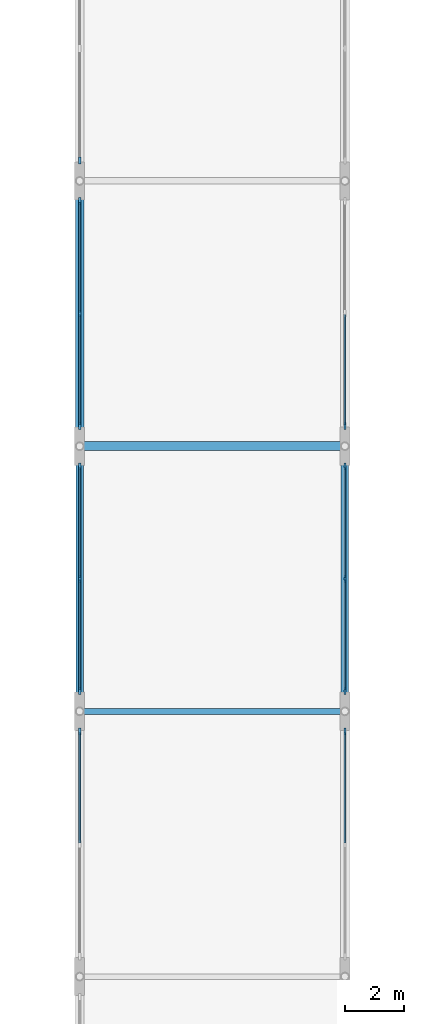
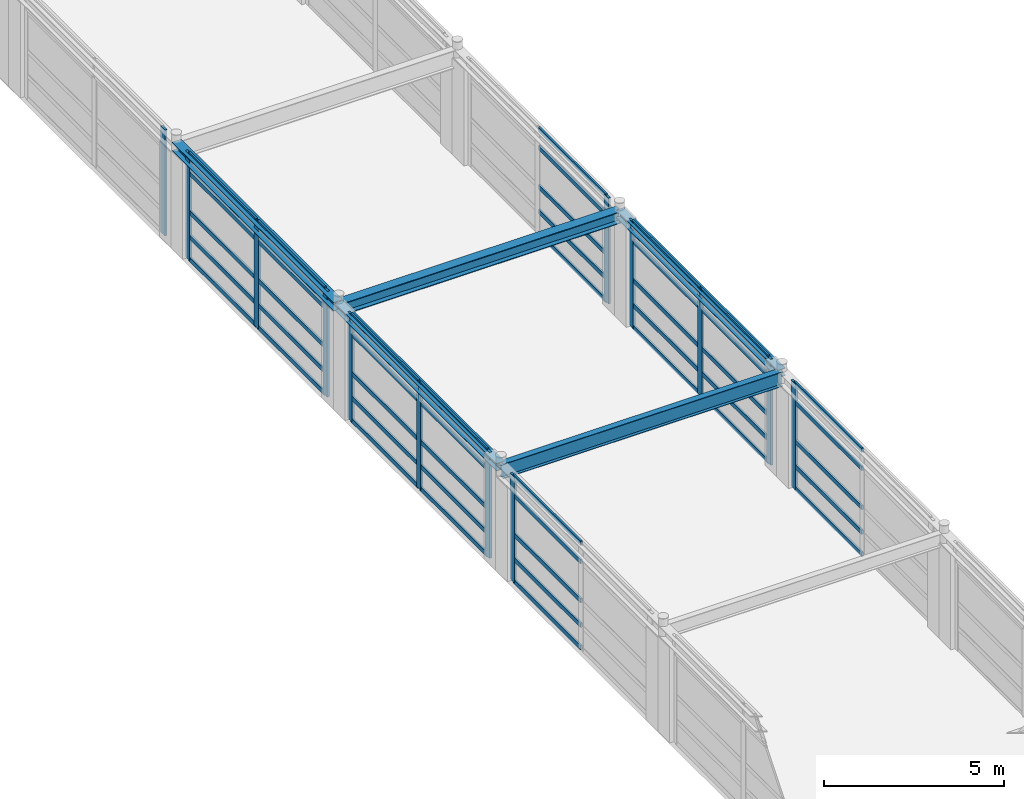
# One storey, part 27 of 79: 58 members, 5 beams, 7 elements without a shape of their own.
"""IFC4 building model written with IfcOpenShell, lengths in metres."""

from ifc_helpers import new_model, si_unit, direction, frame, origin, origin_2d, place, context, subcontext, project, spatial, rectangle, i_section, extrude, material, material_profile, profile_set, type_object, element, aggregate, save


model = new_model("IFC4")

# Units and contexts
model_context = context("Model", 3, precision=1e-05, world=origin(), true_north=direction((0.0, 1.0)))
body_context = subcontext(model_context, "Body", "Model", "MODEL_VIEW")
ifc_project = project(units=[si_unit("LENGTHUNIT", "METRE"), si_unit("AREAUNIT", "SQUARE_METRE"), si_unit("VOLUMEUNIT", "CUBIC_METRE"), si_unit("PLANEANGLEUNIT", "RADIAN"), si_unit("MASSUNIT", "GRAM", prefix="KILO")], contexts=[model_context])

# Site, building, storey
site_placement = place(None, origin())
site = spatial("IfcSite", under=ifc_project, at=site_placement, CompositionType="ELEMENT")
building_placement = place(site_placement, origin())
building = spatial("IfcBuilding", under=site, at=building_placement, Name="Palais des Congres Ocreval", CompositionType="ELEMENT")
storey_placement = place(building_placement, frame((0.0, 0.0, 4.320068359375)))
storey = spatial("IfcBuildingStorey", under=building, at=storey_placement, Name="L01", CompositionType="ELEMENT", Elevation=4.320068359375)

# Beam
ifc_material_1 = material(Name="Steel S355", Category="steel")
ifc_material_profile_1 = material_profile(ifc_material_1, i_section(OverallWidth=0.199951171875, OverallDepth=0.5, WebThickness=0.01025390625, FlangeThickness=0.01611328125, at=origin_2d()), Name="IPE 500")
ifc_profile_set_1 = profile_set([ifc_material_profile_1], Name="Steel S355")
beam_type_1 = type_object("IfcBeamType", Name="Composite Beam IPE 500 Steel S355", PredefinedType="BEAM", material=ifc_profile_set_1)
beam_1_placement = place(storey_placement, frame((72.02001953125, 36.0, 3.329833984375), z_axis=(1.0, 0.0, 0.0), x_axis=(0.0, 1.0, 0.0)))
element("IfcBeam", 1, at=beam_1_placement, inside=storey, type_object=beam_type_1, Name="Beam B04 L01", PredefinedType="BEAM", context=body_context, shape_type="SweptSolid", body=[
    extrude(i_section(OverallWidth=0.199951171875, OverallDepth=0.5, WebThickness=0.01025390625, FlangeThickness=0.01611328125, at=origin_2d()), origin(), (0.0, 0.0, 1.0), 8.9599609375),
])

# Curtain wall, member
ifc_material_2 = material(Name="Anodized bronze aluminium and low-E glass", Category="glass")
curtain_wall_type = type_object("IfcCurtainWallType", Name="Unitised Curtain Wall 7900x3660", PredefinedType="USERDEFINED", material=ifc_material_2)
curtain_wall_1_placement = place(storey_placement, origin())
curtain_wall_1 = element("IfcCurtainWall", 2, at=curtain_wall_1_placement, inside=storey, type_object=curtain_wall_type, Name="Unitised Curtain Wall CW02 L01", ObjectType="UNITISED CURTAIN WALL", PredefinedType="USERDEFINED")
ifc_material_3 = material(Name="Anodized bronze aluminium", Category="aluminium")
ifc_material_profile_2 = material_profile(ifc_material_3, rectangle(XDim=0.074951171875, YDim=0.239990234375, at=origin_2d()), Name="ALU 75x240")
ifc_profile_set_2 = profile_set([ifc_material_profile_2], Name="Anodized bronze aluminium")
member_type_1 = type_object("IfcMemberType", Name="Curtain Wall Mullion ALU 75x240", PredefinedType="MULLION", material=ifc_profile_set_2)
member_1_placement = place(storey_placement, frame((81.0, 45.6875, 0.0), z_axis=(0.0, 0.0, 1.0), x_axis=(1.0, 0.0, 0.0)))
member_1 = element("IfcMember", 3, at=member_1_placement, type_object=member_type_1, Name="Curtain Wall Mullion ML01", PredefinedType="MULLION", context=body_context, shape_type="SweptSolid", body=[
    extrude(rectangle(XDim=0.074951171875, YDim=0.239990234375, at=origin_2d()), origin(), (0.0, 0.0, 1.0), 3.58984375),
])

# Curtain wall, members
curtain_wall_2_placement = place(storey_placement, origin())
curtain_wall_2 = element("IfcCurtainWall", 4, at=curtain_wall_2_placement, inside=storey, type_object=curtain_wall_type, Name="Unitised Curtain Wall CW02 L01", ObjectType="UNITISED CURTAIN WALL", PredefinedType="USERDEFINED")
member_2_placement = place(storey_placement, frame((81.0, 44.3125, 0.0), z_axis=(0.0, 0.0, 1.0), x_axis=(1.0, 0.0, 0.0)))
member_2 = element("IfcMember", 5, at=member_2_placement, type_object=member_type_1, Name="Curtain Wall Mullion ML01", PredefinedType="MULLION", context=body_context, shape_type="SweptSolid", body=[
    extrude(rectangle(XDim=0.074951171875, YDim=0.239990234375, at=origin_2d()), origin(), (0.0, 0.0, 1.0), 3.58984375),
])
member_3_placement = place(storey_placement, frame((81.0, 40.5, 0.0), z_axis=(0.0, 0.0, 1.0), x_axis=(1.0, 0.0, 0.0)))
member_3 = element("IfcMember", 6, at=member_3_placement, type_object=member_type_1, Name="Curtain Wall Mullion ML01", PredefinedType="MULLION", context=body_context, shape_type="SweptSolid", body=[
    extrude(rectangle(XDim=0.074951171875, YDim=0.239990234375, at=origin_2d()), origin(), (0.0, 0.0, 1.0), 3.58984375),
])
member_4_placement = place(storey_placement, frame((81.0, 36.6875, 0.0), z_axis=(0.0, 0.0, 1.0), x_axis=(1.0, 0.0, 0.0)))
member_4 = element("IfcMember", 7, at=member_4_placement, type_object=member_type_1, Name="Curtain Wall Mullion ML01", PredefinedType="MULLION", context=body_context, shape_type="SweptSolid", body=[
    extrude(rectangle(XDim=0.074951171875, YDim=0.239990234375, at=origin_2d()), origin(), (0.0, 0.0, 1.0), 3.58984375),
])

# Curtain wall, member
curtain_wall_3_placement = place(storey_placement, origin())
curtain_wall_3 = element("IfcCurtainWall", 8, at=curtain_wall_3_placement, inside=storey, type_object=curtain_wall_type, Name="Unitised Curtain Wall CW02 L01", ObjectType="UNITISED CURTAIN WALL", PredefinedType="USERDEFINED")
member_5_placement = place(storey_placement, frame((81.0, 35.3125, 0.0), z_axis=(0.0, 0.0, 1.0), x_axis=(1.0, 0.0, 0.0)))
member_5 = element("IfcMember", 9, at=member_5_placement, type_object=member_type_1, Name="Curtain Wall Mullion ML01", PredefinedType="MULLION", context=body_context, shape_type="SweptSolid", body=[
    extrude(rectangle(XDim=0.074951171875, YDim=0.239990234375, at=origin_2d()), origin(), (0.0, 0.0, 1.0), 3.58984375),
])

curtain_wall_4_placement = place(storey_placement, origin())
curtain_wall_4 = element("IfcCurtainWall", 10, at=curtain_wall_4_placement, inside=storey, type_object=curtain_wall_type, Name="Unitised Curtain Wall CW02 L01", ObjectType="UNITISED CURTAIN WALL", PredefinedType="USERDEFINED")
member_6_placement = place(storey_placement, frame((72.0, 35.3125, 0.0), z_axis=(0.0, 0.0, 1.0), x_axis=(-1.0, 0.0, 0.0)))
member_6 = element("IfcMember", 11, at=member_6_placement, type_object=member_type_1, Name="Curtain Wall Mullion ML01", PredefinedType="MULLION", context=body_context, shape_type="SweptSolid", body=[
    extrude(rectangle(XDim=0.074951171875, YDim=0.239990234375, at=origin_2d()), origin(), (0.0, 0.0, 1.0), 3.58984375),
])

# Curtain wall, members
curtain_wall_5_placement = place(storey_placement, origin())
curtain_wall_5 = element("IfcCurtainWall", 12, at=curtain_wall_5_placement, inside=storey, type_object=curtain_wall_type, Name="Unitised Curtain Wall CW02 L01", ObjectType="UNITISED CURTAIN WALL", PredefinedType="USERDEFINED")
member_7_placement = place(storey_placement, frame((72.0, 36.6875, 0.0), z_axis=(0.0, 0.0, 1.0), x_axis=(-1.0, 0.0, 0.0)))
member_7 = element("IfcMember", 13, at=member_7_placement, type_object=member_type_1, Name="Curtain Wall Mullion ML01", PredefinedType="MULLION", context=body_context, shape_type="SweptSolid", body=[
    extrude(rectangle(XDim=0.074951171875, YDim=0.239990234375, at=origin_2d()), origin(), (0.0, 0.0, 1.0), 3.58984375),
])
member_8_placement = place(storey_placement, frame((72.0, 40.5, 0.0), z_axis=(0.0, 0.0, 1.0), x_axis=(-1.0, 0.0, 0.0)))
member_8 = element("IfcMember", 14, at=member_8_placement, type_object=member_type_1, Name="Curtain Wall Mullion ML01", PredefinedType="MULLION", context=body_context, shape_type="SweptSolid", body=[
    extrude(rectangle(XDim=0.074951171875, YDim=0.239990234375, at=origin_2d()), origin(), (0.0, 0.0, 1.0), 3.58984375),
])
member_9_placement = place(storey_placement, frame((72.0, 44.3125, 0.0), z_axis=(0.0, 0.0, 1.0), x_axis=(-1.0, 0.0, 0.0)))
member_9 = element("IfcMember", 15, at=member_9_placement, type_object=member_type_1, Name="Curtain Wall Mullion ML01", PredefinedType="MULLION", context=body_context, shape_type="SweptSolid", body=[
    extrude(rectangle(XDim=0.074951171875, YDim=0.239990234375, at=origin_2d()), origin(), (0.0, 0.0, 1.0), 3.58984375),
])

curtain_wall_6_placement = place(storey_placement, origin())
curtain_wall_6 = element("IfcCurtainWall", 16, at=curtain_wall_6_placement, inside=storey, type_object=curtain_wall_type, Name="Unitised Curtain Wall CW02 L01", ObjectType="UNITISED CURTAIN WALL", PredefinedType="USERDEFINED")
member_10_placement = place(storey_placement, frame((72.0, 45.6875, 0.0), z_axis=(0.0, 0.0, 1.0), x_axis=(-1.0, 0.0, 0.0)))
member_10 = element("IfcMember", 17, at=member_10_placement, type_object=member_type_1, Name="Curtain Wall Mullion ML01", PredefinedType="MULLION", context=body_context, shape_type="SweptSolid", body=[
    extrude(rectangle(XDim=0.074951171875, YDim=0.239990234375, at=origin_2d()), origin(), (0.0, 0.0, 1.0), 3.58984375),
])
member_11_placement = place(storey_placement, frame((72.0, 49.5, 0.0), z_axis=(0.0, 0.0, 1.0), x_axis=(-1.0, 0.0, 0.0)))
member_11 = element("IfcMember", 18, at=member_11_placement, type_object=member_type_1, Name="Curtain Wall Mullion ML01", PredefinedType="MULLION", context=body_context, shape_type="SweptSolid", body=[
    extrude(rectangle(XDim=0.074951171875, YDim=0.239990234375, at=origin_2d()), origin(), (0.0, 0.0, 1.0), 3.58984375),
])
member_12_placement = place(storey_placement, frame((72.0, 53.3125, 0.0), z_axis=(0.0, 0.0, 1.0), x_axis=(-1.0, 0.0, 0.0)))
member_12 = element("IfcMember", 19, at=member_12_placement, type_object=member_type_1, Name="Curtain Wall Mullion ML01", PredefinedType="MULLION", context=body_context, shape_type="SweptSolid", body=[
    extrude(rectangle(XDim=0.074951171875, YDim=0.239990234375, at=origin_2d()), origin(), (0.0, 0.0, 1.0), 3.58984375),
])

# Curtain wall, member
curtain_wall_7_placement = place(storey_placement, origin())
curtain_wall_7 = element("IfcCurtainWall", 20, at=curtain_wall_7_placement, inside=storey, type_object=curtain_wall_type, Name="Unitised Curtain Wall CW02 L01", ObjectType="UNITISED CURTAIN WALL", PredefinedType="USERDEFINED")
member_13_placement = place(storey_placement, frame((72.0, 54.6875, 0.0), z_axis=(0.0, 0.0, 1.0), x_axis=(-1.0, 0.0, 0.0)))
member_13 = element("IfcMember", 21, at=member_13_placement, type_object=member_type_1, Name="Curtain Wall Mullion ML01", PredefinedType="MULLION", context=body_context, shape_type="SweptSolid", body=[
    extrude(rectangle(XDim=0.074951171875, YDim=0.239990234375, at=origin_2d()), origin(), (0.0, 0.0, 1.0), 3.58984375),
])
aggregate(curtain_wall_7, [member_13])

# Member
ifc_material_profile_3 = material_profile(ifc_material_3, rectangle(XDim=0.06005859375, YDim=0.14990234375, at=origin_2d()), Name="ALU 60x150")
ifc_profile_set_3 = profile_set([ifc_material_profile_3], Name="Anodized bronze aluminium")
member_type_2 = type_object("IfcMemberType", Name="Curtain Wall Transom ALU 60x150", PredefinedType="USERDEFINED", material=ifc_profile_set_3)
member_14_placement = place(storey_placement, frame((81.0, 49.46240234375, 0.030029296875), z_axis=(0.0, -1.0, 0.0), x_axis=(1.0, 0.0, 0.0)))
member_14 = element("IfcMember", 22, at=member_14_placement, type_object=member_type_2, Name="Curtain Wall Transom TR01", ObjectType="TRANSOM", PredefinedType="USERDEFINED", context=body_context, shape_type="SweptSolid", body=[
    extrude(rectangle(XDim=0.06005859375, YDim=0.14990234375, at=origin_2d()), origin(), (0.0, 0.0, 1.0), 3.7373046875),
])

member_15_placement = place(storey_placement, frame((81.0, 49.46240234375, 0.780029296875), z_axis=(0.0, -1.0, 0.0), x_axis=(1.0, 0.0, 0.0)))
member_15 = element("IfcMember", 23, at=member_15_placement, type_object=member_type_2, Name="Curtain Wall Transom TR01", ObjectType="TRANSOM", PredefinedType="USERDEFINED", context=body_context, shape_type="SweptSolid", body=[
    extrude(rectangle(XDim=0.06005859375, YDim=0.14990234375, at=origin_2d()), origin(), (0.0, 0.0, 1.0), 3.7373046875),
])

member_16_placement = place(storey_placement, frame((81.0, 49.46240234375, 1.616943359375), z_axis=(0.0, -1.0, 0.0), x_axis=(1.0, 0.0, 0.0)))
member_16 = element("IfcMember", 24, at=member_16_placement, type_object=member_type_2, Name="Curtain Wall Transom TR01", ObjectType="TRANSOM", PredefinedType="USERDEFINED", context=body_context, shape_type="SweptSolid", body=[
    extrude(rectangle(XDim=0.06005859375, YDim=0.14990234375, at=origin_2d()), origin(), (0.0, 0.0, 1.0), 3.7373046875),
])

member_17_placement = place(storey_placement, frame((81.0, 49.46240234375, 2.93994140625), z_axis=(0.0, -1.0, 0.0), x_axis=(1.0, 0.0, 0.0)))
member_17 = element("IfcMember", 25, at=member_17_placement, type_object=member_type_2, Name="Curtain Wall Transom TR01", ObjectType="TRANSOM", PredefinedType="USERDEFINED", context=body_context, shape_type="SweptSolid", body=[
    extrude(rectangle(XDim=0.06005859375, YDim=0.14990234375, at=origin_2d()), origin(), (0.0, 0.0, 1.0), 3.7373046875),
])

member_18_placement = place(storey_placement, frame((81.0, 49.46240234375, 3.559814453125), z_axis=(0.0, -1.0, 0.0), x_axis=(1.0, 0.0, 0.0)))
member_18 = element("IfcMember", 26, at=member_18_placement, type_object=member_type_2, Name="Curtain Wall Transom TR01", ObjectType="TRANSOM", PredefinedType="USERDEFINED", context=body_context, shape_type="SweptSolid", body=[
    extrude(rectangle(XDim=0.06005859375, YDim=0.14990234375, at=origin_2d()), origin(), (0.0, 0.0, 1.0), 3.7373046875),
])

aggregate(curtain_wall_1, [member_1, member_14, member_15, member_16, member_17, member_18])

member_19_placement = place(storey_placement, frame((81.0, 44.27490234375, 0.030029296875), z_axis=(0.0, -1.0, 0.0), x_axis=(1.0, 0.0, 0.0)))
member_19 = element("IfcMember", 27, at=member_19_placement, type_object=member_type_2, Name="Curtain Wall Transom TR01", ObjectType="TRANSOM", PredefinedType="USERDEFINED", context=body_context, shape_type="SweptSolid", body=[
    extrude(rectangle(XDim=0.06005859375, YDim=0.14990234375, at=origin_2d()), origin(), (0.0, 0.0, 1.0), 3.7373046875),
])

member_20_placement = place(storey_placement, frame((81.0, 44.27490234375, 0.780029296875), z_axis=(0.0, -1.0, 0.0), x_axis=(1.0, 0.0, 0.0)))
member_20 = element("IfcMember", 28, at=member_20_placement, type_object=member_type_2, Name="Curtain Wall Transom TR01", ObjectType="TRANSOM", PredefinedType="USERDEFINED", context=body_context, shape_type="SweptSolid", body=[
    extrude(rectangle(XDim=0.06005859375, YDim=0.14990234375, at=origin_2d()), origin(), (0.0, 0.0, 1.0), 3.7373046875),
])

member_21_placement = place(storey_placement, frame((81.0, 44.27490234375, 1.616943359375), z_axis=(0.0, -1.0, 0.0), x_axis=(1.0, 0.0, 0.0)))
member_21 = element("IfcMember", 29, at=member_21_placement, type_object=member_type_2, Name="Curtain Wall Transom TR01", ObjectType="TRANSOM", PredefinedType="USERDEFINED", context=body_context, shape_type="SweptSolid", body=[
    extrude(rectangle(XDim=0.06005859375, YDim=0.14990234375, at=origin_2d()), origin(), (0.0, 0.0, 1.0), 3.7373046875),
])

member_22_placement = place(storey_placement, frame((81.0, 44.27490234375, 2.93994140625), z_axis=(0.0, -1.0, 0.0), x_axis=(1.0, 0.0, 0.0)))
member_22 = element("IfcMember", 30, at=member_22_placement, type_object=member_type_2, Name="Curtain Wall Transom TR01", ObjectType="TRANSOM", PredefinedType="USERDEFINED", context=body_context, shape_type="SweptSolid", body=[
    extrude(rectangle(XDim=0.06005859375, YDim=0.14990234375, at=origin_2d()), origin(), (0.0, 0.0, 1.0), 3.7373046875),
])

member_23_placement = place(storey_placement, frame((81.0, 44.27490234375, 3.559814453125), z_axis=(0.0, -1.0, 0.0), x_axis=(1.0, 0.0, 0.0)))
member_23 = element("IfcMember", 31, at=member_23_placement, type_object=member_type_2, Name="Curtain Wall Transom TR01", ObjectType="TRANSOM", PredefinedType="USERDEFINED", context=body_context, shape_type="SweptSolid", body=[
    extrude(rectangle(XDim=0.06005859375, YDim=0.14990234375, at=origin_2d()), origin(), (0.0, 0.0, 1.0), 3.7373046875),
])

member_24_placement = place(storey_placement, frame((81.0, 40.46240234375, 0.030029296875), z_axis=(0.0, -1.0, 0.0), x_axis=(1.0, 0.0, 0.0)))
member_24 = element("IfcMember", 32, at=member_24_placement, type_object=member_type_2, Name="Curtain Wall Transom TR01", ObjectType="TRANSOM", PredefinedType="USERDEFINED", context=body_context, shape_type="SweptSolid", body=[
    extrude(rectangle(XDim=0.06005859375, YDim=0.14990234375, at=origin_2d()), origin(), (0.0, 0.0, 1.0), 3.7373046875),
])

member_25_placement = place(storey_placement, frame((81.0, 40.46240234375, 0.780029296875), z_axis=(0.0, -1.0, 0.0), x_axis=(1.0, 0.0, 0.0)))
member_25 = element("IfcMember", 33, at=member_25_placement, type_object=member_type_2, Name="Curtain Wall Transom TR01", ObjectType="TRANSOM", PredefinedType="USERDEFINED", context=body_context, shape_type="SweptSolid", body=[
    extrude(rectangle(XDim=0.06005859375, YDim=0.14990234375, at=origin_2d()), origin(), (0.0, 0.0, 1.0), 3.7373046875),
])

member_26_placement = place(storey_placement, frame((81.0, 40.46240234375, 1.616943359375), z_axis=(0.0, -1.0, 0.0), x_axis=(1.0, 0.0, 0.0)))
member_26 = element("IfcMember", 34, at=member_26_placement, type_object=member_type_2, Name="Curtain Wall Transom TR01", ObjectType="TRANSOM", PredefinedType="USERDEFINED", context=body_context, shape_type="SweptSolid", body=[
    extrude(rectangle(XDim=0.06005859375, YDim=0.14990234375, at=origin_2d()), origin(), (0.0, 0.0, 1.0), 3.7373046875),
])

member_27_placement = place(storey_placement, frame((81.0, 40.46240234375, 2.93994140625), z_axis=(0.0, -1.0, 0.0), x_axis=(1.0, 0.0, 0.0)))
member_27 = element("IfcMember", 35, at=member_27_placement, type_object=member_type_2, Name="Curtain Wall Transom TR01", ObjectType="TRANSOM", PredefinedType="USERDEFINED", context=body_context, shape_type="SweptSolid", body=[
    extrude(rectangle(XDim=0.06005859375, YDim=0.14990234375, at=origin_2d()), origin(), (0.0, 0.0, 1.0), 3.7373046875),
])

member_28_placement = place(storey_placement, frame((81.0, 40.46240234375, 3.559814453125), z_axis=(0.0, -1.0, 0.0), x_axis=(1.0, 0.0, 0.0)))
member_28 = element("IfcMember", 36, at=member_28_placement, type_object=member_type_2, Name="Curtain Wall Transom TR01", ObjectType="TRANSOM", PredefinedType="USERDEFINED", context=body_context, shape_type="SweptSolid", body=[
    extrude(rectangle(XDim=0.06005859375, YDim=0.14990234375, at=origin_2d()), origin(), (0.0, 0.0, 1.0), 3.7373046875),
])

aggregate(curtain_wall_2, [member_2, member_3, member_4, member_19, member_20, member_21, member_22, member_23, member_24, member_25, member_26, member_27, member_28])

member_29_placement = place(storey_placement, frame((81.0, 35.27490234375, 0.030029296875), z_axis=(0.0, -1.0, 0.0), x_axis=(1.0, 0.0, 0.0)))
member_29 = element("IfcMember", 37, at=member_29_placement, type_object=member_type_2, Name="Curtain Wall Transom TR01", ObjectType="TRANSOM", PredefinedType="USERDEFINED", context=body_context, shape_type="SweptSolid", body=[
    extrude(rectangle(XDim=0.06005859375, YDim=0.14990234375, at=origin_2d()), origin(), (0.0, 0.0, 1.0), 3.7373046875),
])

member_30_placement = place(storey_placement, frame((81.0, 35.27490234375, 0.780029296875), z_axis=(0.0, -1.0, 0.0), x_axis=(1.0, 0.0, 0.0)))
member_30 = element("IfcMember", 38, at=member_30_placement, type_object=member_type_2, Name="Curtain Wall Transom TR01", ObjectType="TRANSOM", PredefinedType="USERDEFINED", context=body_context, shape_type="SweptSolid", body=[
    extrude(rectangle(XDim=0.06005859375, YDim=0.14990234375, at=origin_2d()), origin(), (0.0, 0.0, 1.0), 3.7373046875),
])

member_31_placement = place(storey_placement, frame((81.0, 35.27490234375, 1.616943359375), z_axis=(0.0, -1.0, 0.0), x_axis=(1.0, 0.0, 0.0)))
member_31 = element("IfcMember", 39, at=member_31_placement, type_object=member_type_2, Name="Curtain Wall Transom TR01", ObjectType="TRANSOM", PredefinedType="USERDEFINED", context=body_context, shape_type="SweptSolid", body=[
    extrude(rectangle(XDim=0.06005859375, YDim=0.14990234375, at=origin_2d()), origin(), (0.0, 0.0, 1.0), 3.7373046875),
])

member_32_placement = place(storey_placement, frame((81.0, 35.27490234375, 2.93994140625), z_axis=(0.0, -1.0, 0.0), x_axis=(1.0, 0.0, 0.0)))
member_32 = element("IfcMember", 40, at=member_32_placement, type_object=member_type_2, Name="Curtain Wall Transom TR01", ObjectType="TRANSOM", PredefinedType="USERDEFINED", context=body_context, shape_type="SweptSolid", body=[
    extrude(rectangle(XDim=0.06005859375, YDim=0.14990234375, at=origin_2d()), origin(), (0.0, 0.0, 1.0), 3.7373046875),
])

member_33_placement = place(storey_placement, frame((81.0, 35.27490234375, 3.559814453125), z_axis=(0.0, -1.0, 0.0), x_axis=(1.0, 0.0, 0.0)))
member_33 = element("IfcMember", 41, at=member_33_placement, type_object=member_type_2, Name="Curtain Wall Transom TR01", ObjectType="TRANSOM", PredefinedType="USERDEFINED", context=body_context, shape_type="SweptSolid", body=[
    extrude(rectangle(XDim=0.06005859375, YDim=0.14990234375, at=origin_2d()), origin(), (0.0, 0.0, 1.0), 3.7373046875),
])

aggregate(curtain_wall_3, [member_5, member_29, member_30, member_31, member_32, member_33])

member_34_placement = place(storey_placement, frame((72.0, 31.53759765625, 0.030029296875), z_axis=(0.0, 1.0, 0.0), x_axis=(-1.0, 0.0, 0.0)))
member_34 = element("IfcMember", 42, at=member_34_placement, type_object=member_type_2, Name="Curtain Wall Transom TR01", ObjectType="TRANSOM", PredefinedType="USERDEFINED", context=body_context, shape_type="SweptSolid", body=[
    extrude(rectangle(XDim=0.06005859375, YDim=0.14990234375, at=origin_2d()), origin(), (0.0, 0.0, 1.0), 3.7373046875),
])

member_35_placement = place(storey_placement, frame((72.0, 31.53759765625, 0.780029296875), z_axis=(0.0, 1.0, 0.0), x_axis=(-1.0, 0.0, 0.0)))
member_35 = element("IfcMember", 43, at=member_35_placement, type_object=member_type_2, Name="Curtain Wall Transom TR01", ObjectType="TRANSOM", PredefinedType="USERDEFINED", context=body_context, shape_type="SweptSolid", body=[
    extrude(rectangle(XDim=0.06005859375, YDim=0.14990234375, at=origin_2d()), origin(), (0.0, 0.0, 1.0), 3.7373046875),
])

member_36_placement = place(storey_placement, frame((72.0, 31.53759765625, 1.616943359375), z_axis=(0.0, 1.0, 0.0), x_axis=(-1.0, 0.0, 0.0)))
member_36 = element("IfcMember", 44, at=member_36_placement, type_object=member_type_2, Name="Curtain Wall Transom TR01", ObjectType="TRANSOM", PredefinedType="USERDEFINED", context=body_context, shape_type="SweptSolid", body=[
    extrude(rectangle(XDim=0.06005859375, YDim=0.14990234375, at=origin_2d()), origin(), (0.0, 0.0, 1.0), 3.7373046875),
])

member_37_placement = place(storey_placement, frame((72.0, 31.53759765625, 2.93994140625), z_axis=(0.0, 1.0, 0.0), x_axis=(-1.0, 0.0, 0.0)))
member_37 = element("IfcMember", 45, at=member_37_placement, type_object=member_type_2, Name="Curtain Wall Transom TR01", ObjectType="TRANSOM", PredefinedType="USERDEFINED", context=body_context, shape_type="SweptSolid", body=[
    extrude(rectangle(XDim=0.06005859375, YDim=0.14990234375, at=origin_2d()), origin(), (0.0, 0.0, 1.0), 3.7373046875),
])

member_38_placement = place(storey_placement, frame((72.0, 31.53759765625, 3.559814453125), z_axis=(0.0, 1.0, 0.0), x_axis=(-1.0, 0.0, 0.0)))
member_38 = element("IfcMember", 46, at=member_38_placement, type_object=member_type_2, Name="Curtain Wall Transom TR01", ObjectType="TRANSOM", PredefinedType="USERDEFINED", context=body_context, shape_type="SweptSolid", body=[
    extrude(rectangle(XDim=0.06005859375, YDim=0.14990234375, at=origin_2d()), origin(), (0.0, 0.0, 1.0), 3.7373046875),
])

aggregate(curtain_wall_4, [member_6, member_34, member_35, member_36, member_37, member_38])

member_39_placement = place(storey_placement, frame((72.0, 36.72509765625, 0.030029296875), z_axis=(0.0, 1.0, 0.0), x_axis=(-1.0, 0.0, 0.0)))
member_39 = element("IfcMember", 47, at=member_39_placement, type_object=member_type_2, Name="Curtain Wall Transom TR01", ObjectType="TRANSOM", PredefinedType="USERDEFINED", context=body_context, shape_type="SweptSolid", body=[
    extrude(rectangle(XDim=0.06005859375, YDim=0.14990234375, at=origin_2d()), origin(), (0.0, 0.0, 1.0), 3.7373046875),
])

member_40_placement = place(storey_placement, frame((72.0, 36.72509765625, 0.780029296875), z_axis=(0.0, 1.0, 0.0), x_axis=(-1.0, 0.0, 0.0)))
member_40 = element("IfcMember", 48, at=member_40_placement, type_object=member_type_2, Name="Curtain Wall Transom TR01", ObjectType="TRANSOM", PredefinedType="USERDEFINED", context=body_context, shape_type="SweptSolid", body=[
    extrude(rectangle(XDim=0.06005859375, YDim=0.14990234375, at=origin_2d()), origin(), (0.0, 0.0, 1.0), 3.7373046875),
])

member_41_placement = place(storey_placement, frame((72.0, 36.72509765625, 1.616943359375), z_axis=(0.0, 1.0, 0.0), x_axis=(-1.0, 0.0, 0.0)))
member_41 = element("IfcMember", 49, at=member_41_placement, type_object=member_type_2, Name="Curtain Wall Transom TR01", ObjectType="TRANSOM", PredefinedType="USERDEFINED", context=body_context, shape_type="SweptSolid", body=[
    extrude(rectangle(XDim=0.06005859375, YDim=0.14990234375, at=origin_2d()), origin(), (0.0, 0.0, 1.0), 3.7373046875),
])

member_42_placement = place(storey_placement, frame((72.0, 36.72509765625, 2.93994140625), z_axis=(0.0, 1.0, 0.0), x_axis=(-1.0, 0.0, 0.0)))
member_42 = element("IfcMember", 50, at=member_42_placement, type_object=member_type_2, Name="Curtain Wall Transom TR01", ObjectType="TRANSOM", PredefinedType="USERDEFINED", context=body_context, shape_type="SweptSolid", body=[
    extrude(rectangle(XDim=0.06005859375, YDim=0.14990234375, at=origin_2d()), origin(), (0.0, 0.0, 1.0), 3.7373046875),
])

member_43_placement = place(storey_placement, frame((72.0, 36.72509765625, 3.559814453125), z_axis=(0.0, 1.0, 0.0), x_axis=(-1.0, 0.0, 0.0)))
member_43 = element("IfcMember", 51, at=member_43_placement, type_object=member_type_2, Name="Curtain Wall Transom TR01", ObjectType="TRANSOM", PredefinedType="USERDEFINED", context=body_context, shape_type="SweptSolid", body=[
    extrude(rectangle(XDim=0.06005859375, YDim=0.14990234375, at=origin_2d()), origin(), (0.0, 0.0, 1.0), 3.7373046875),
])

member_44_placement = place(storey_placement, frame((72.0, 40.53759765625, 0.030029296875), z_axis=(0.0, 1.0, 0.0), x_axis=(-1.0, 0.0, 0.0)))
member_44 = element("IfcMember", 52, at=member_44_placement, type_object=member_type_2, Name="Curtain Wall Transom TR01", ObjectType="TRANSOM", PredefinedType="USERDEFINED", context=body_context, shape_type="SweptSolid", body=[
    extrude(rectangle(XDim=0.06005859375, YDim=0.14990234375, at=origin_2d()), origin(), (0.0, 0.0, 1.0), 3.7373046875),
])

member_45_placement = place(storey_placement, frame((72.0, 40.53759765625, 0.780029296875), z_axis=(0.0, 1.0, 0.0), x_axis=(-1.0, 0.0, 0.0)))
member_45 = element("IfcMember", 53, at=member_45_placement, type_object=member_type_2, Name="Curtain Wall Transom TR01", ObjectType="TRANSOM", PredefinedType="USERDEFINED", context=body_context, shape_type="SweptSolid", body=[
    extrude(rectangle(XDim=0.06005859375, YDim=0.14990234375, at=origin_2d()), origin(), (0.0, 0.0, 1.0), 3.7373046875),
])

member_46_placement = place(storey_placement, frame((72.0, 40.53759765625, 1.616943359375), z_axis=(0.0, 1.0, 0.0), x_axis=(-1.0, 0.0, 0.0)))
member_46 = element("IfcMember", 54, at=member_46_placement, type_object=member_type_2, Name="Curtain Wall Transom TR01", ObjectType="TRANSOM", PredefinedType="USERDEFINED", context=body_context, shape_type="SweptSolid", body=[
    extrude(rectangle(XDim=0.06005859375, YDim=0.14990234375, at=origin_2d()), origin(), (0.0, 0.0, 1.0), 3.7373046875),
])

member_47_placement = place(storey_placement, frame((72.0, 40.53759765625, 2.93994140625), z_axis=(0.0, 1.0, 0.0), x_axis=(-1.0, 0.0, 0.0)))
member_47 = element("IfcMember", 55, at=member_47_placement, type_object=member_type_2, Name="Curtain Wall Transom TR01", ObjectType="TRANSOM", PredefinedType="USERDEFINED", context=body_context, shape_type="SweptSolid", body=[
    extrude(rectangle(XDim=0.06005859375, YDim=0.14990234375, at=origin_2d()), origin(), (0.0, 0.0, 1.0), 3.7373046875),
])

member_48_placement = place(storey_placement, frame((72.0, 40.53759765625, 3.559814453125), z_axis=(0.0, 1.0, 0.0), x_axis=(-1.0, 0.0, 0.0)))
member_48 = element("IfcMember", 56, at=member_48_placement, type_object=member_type_2, Name="Curtain Wall Transom TR01", ObjectType="TRANSOM", PredefinedType="USERDEFINED", context=body_context, shape_type="SweptSolid", body=[
    extrude(rectangle(XDim=0.06005859375, YDim=0.14990234375, at=origin_2d()), origin(), (0.0, 0.0, 1.0), 3.7373046875),
])

aggregate(curtain_wall_5, [member_7, member_8, member_9, member_39, member_40, member_41, member_42, member_43, member_44, member_45, member_46, member_47, member_48])

member_49_placement = place(storey_placement, frame((72.0, 45.72509765625, 0.030029296875), z_axis=(0.0, 1.0, 0.0), x_axis=(-1.0, 0.0, 0.0)))
member_49 = element("IfcMember", 57, at=member_49_placement, type_object=member_type_2, Name="Curtain Wall Transom TR01", ObjectType="TRANSOM", PredefinedType="USERDEFINED", context=body_context, shape_type="SweptSolid", body=[
    extrude(rectangle(XDim=0.06005859375, YDim=0.14990234375, at=origin_2d()), origin(), (0.0, 0.0, 1.0), 3.7373046875),
])

member_50_placement = place(storey_placement, frame((72.0, 45.72509765625, 0.780029296875), z_axis=(0.0, 1.0, 0.0), x_axis=(-1.0, 0.0, 0.0)))
member_50 = element("IfcMember", 58, at=member_50_placement, type_object=member_type_2, Name="Curtain Wall Transom TR01", ObjectType="TRANSOM", PredefinedType="USERDEFINED", context=body_context, shape_type="SweptSolid", body=[
    extrude(rectangle(XDim=0.06005859375, YDim=0.14990234375, at=origin_2d()), origin(), (0.0, 0.0, 1.0), 3.7373046875),
])

member_51_placement = place(storey_placement, frame((72.0, 45.72509765625, 1.616943359375), z_axis=(0.0, 1.0, 0.0), x_axis=(-1.0, 0.0, 0.0)))
member_51 = element("IfcMember", 59, at=member_51_placement, type_object=member_type_2, Name="Curtain Wall Transom TR01", ObjectType="TRANSOM", PredefinedType="USERDEFINED", context=body_context, shape_type="SweptSolid", body=[
    extrude(rectangle(XDim=0.06005859375, YDim=0.14990234375, at=origin_2d()), origin(), (0.0, 0.0, 1.0), 3.7373046875),
])

member_52_placement = place(storey_placement, frame((72.0, 45.72509765625, 2.93994140625), z_axis=(0.0, 1.0, 0.0), x_axis=(-1.0, 0.0, 0.0)))
member_52 = element("IfcMember", 60, at=member_52_placement, type_object=member_type_2, Name="Curtain Wall Transom TR01", ObjectType="TRANSOM", PredefinedType="USERDEFINED", context=body_context, shape_type="SweptSolid", body=[
    extrude(rectangle(XDim=0.06005859375, YDim=0.14990234375, at=origin_2d()), origin(), (0.0, 0.0, 1.0), 3.7373046875),
])

member_53_placement = place(storey_placement, frame((72.0, 45.72509765625, 3.559814453125), z_axis=(0.0, 1.0, 0.0), x_axis=(-1.0, 0.0, 0.0)))
member_53 = element("IfcMember", 61, at=member_53_placement, type_object=member_type_2, Name="Curtain Wall Transom TR01", ObjectType="TRANSOM", PredefinedType="USERDEFINED", context=body_context, shape_type="SweptSolid", body=[
    extrude(rectangle(XDim=0.06005859375, YDim=0.14990234375, at=origin_2d()), origin(), (0.0, 0.0, 1.0), 3.7373046875),
])

member_54_placement = place(storey_placement, frame((72.0, 49.53759765625, 0.030029296875), z_axis=(0.0, 1.0, 0.0), x_axis=(-1.0, 0.0, 0.0)))
member_54 = element("IfcMember", 62, at=member_54_placement, type_object=member_type_2, Name="Curtain Wall Transom TR01", ObjectType="TRANSOM", PredefinedType="USERDEFINED", context=body_context, shape_type="SweptSolid", body=[
    extrude(rectangle(XDim=0.06005859375, YDim=0.14990234375, at=origin_2d()), origin(), (0.0, 0.0, 1.0), 3.7373046875),
])

member_55_placement = place(storey_placement, frame((72.0, 49.53759765625, 0.780029296875), z_axis=(0.0, 1.0, 0.0), x_axis=(-1.0, 0.0, 0.0)))
member_55 = element("IfcMember", 63, at=member_55_placement, type_object=member_type_2, Name="Curtain Wall Transom TR01", ObjectType="TRANSOM", PredefinedType="USERDEFINED", context=body_context, shape_type="SweptSolid", body=[
    extrude(rectangle(XDim=0.06005859375, YDim=0.14990234375, at=origin_2d()), origin(), (0.0, 0.0, 1.0), 3.7373046875),
])

member_56_placement = place(storey_placement, frame((72.0, 49.53759765625, 1.616943359375), z_axis=(0.0, 1.0, 0.0), x_axis=(-1.0, 0.0, 0.0)))
member_56 = element("IfcMember", 64, at=member_56_placement, type_object=member_type_2, Name="Curtain Wall Transom TR01", ObjectType="TRANSOM", PredefinedType="USERDEFINED", context=body_context, shape_type="SweptSolid", body=[
    extrude(rectangle(XDim=0.06005859375, YDim=0.14990234375, at=origin_2d()), origin(), (0.0, 0.0, 1.0), 3.7373046875),
])

member_57_placement = place(storey_placement, frame((72.0, 49.53759765625, 2.93994140625), z_axis=(0.0, 1.0, 0.0), x_axis=(-1.0, 0.0, 0.0)))
member_57 = element("IfcMember", 65, at=member_57_placement, type_object=member_type_2, Name="Curtain Wall Transom TR01", ObjectType="TRANSOM", PredefinedType="USERDEFINED", context=body_context, shape_type="SweptSolid", body=[
    extrude(rectangle(XDim=0.06005859375, YDim=0.14990234375, at=origin_2d()), origin(), (0.0, 0.0, 1.0), 3.7373046875),
])

member_58_placement = place(storey_placement, frame((72.0, 49.53759765625, 3.559814453125), z_axis=(0.0, 1.0, 0.0), x_axis=(-1.0, 0.0, 0.0)))
member_58 = element("IfcMember", 66, at=member_58_placement, type_object=member_type_2, Name="Curtain Wall Transom TR01", ObjectType="TRANSOM", PredefinedType="USERDEFINED", context=body_context, shape_type="SweptSolid", body=[
    extrude(rectangle(XDim=0.06005859375, YDim=0.14990234375, at=origin_2d()), origin(), (0.0, 0.0, 1.0), 3.7373046875),
])

aggregate(curtain_wall_6, [member_10, member_11, member_12, member_49, member_50, member_51, member_52, member_53, member_54, member_55, member_56, member_57, member_58])

# Beams
ifc_material_profile_4 = material_profile(ifc_material_1, i_section(OverallWidth=0.260009765625, OverallDepth=0.260009765625, WebThickness=0.010009765625, FlangeThickness=0.017578125, at=origin_2d()), Name="HEB 260")
ifc_profile_set_4 = profile_set([ifc_material_profile_4], Name="Steel S355")
beam_type_2 = type_object("IfcBeamType", Name="Opening Lintel HEB 260 Steel S355", PredefinedType="LINTEL", material=ifc_profile_set_4)
for number, where, z_axis, x_axis, name in (
    (67, (72.0, 36.02001953125, 3.449951171875), (0.0, 1.0, 0.0), (-1.0, 0.0, 0.0), "Girder LN01 L01"),
    (68, (81.0, 36.02001953125, 3.449951171875), (0.0, 1.0, 0.0), (-1.0, 0.0, 0.0), "Girder LN01 L01"),
):
    element("IfcBeam", number, at=place(storey_placement, frame(where, z_axis=z_axis, x_axis=x_axis)), inside=storey, type_object=beam_type_2, Name=name, PredefinedType="LINTEL", context=body_context, shape_type="SweptSolid", body=[
        extrude(i_section(OverallWidth=0.260009765625, OverallDepth=0.260009765625, WebThickness=0.010009765625, FlangeThickness=0.017578125, at=origin_2d()), origin(), (0.0, 0.0, 1.0), 8.9599609375),
    ])
ifc_material_profile_5 = material_profile(ifc_material_1, i_section(OverallWidth=0.300048828125, OverallDepth=0.300048828125, WebThickness=0.010986328125, FlangeThickness=0.01904296875, at=origin_2d()), Name="HEB 300")
ifc_profile_set_5 = profile_set([ifc_material_profile_5], Name="Steel S355")
beam_type_3 = type_object("IfcBeamType", Name="Perimeter Spandrel HEB 300 Steel S355", PredefinedType="SPANDREL", material=ifc_profile_set_5)
beam_2_placement = place(storey_placement, frame((72.0, 45.02001953125, 3.429931640625), z_axis=(0.0, 1.0, 0.0), x_axis=(-1.0, 0.0, 0.0)))
element("IfcBeam", 69, at=beam_2_placement, inside=storey, type_object=beam_type_3, Name="Girder SP02 L01", PredefinedType="SPANDREL", context=body_context, shape_type="SweptSolid", body=[
    extrude(i_section(OverallWidth=0.300048828125, OverallDepth=0.300048828125, WebThickness=0.010986328125, FlangeThickness=0.01904296875, at=origin_2d()), origin(), (0.0, 0.0, 1.0), 8.9599609375),
])
ifc_material_profile_6 = material_profile(ifc_material_1, i_section(OverallWidth=0.300048828125, OverallDepth=0.39990234375, WebThickness=0.013427734375, FlangeThickness=0.02392578125, at=origin_2d()), Name="HEB 400")
ifc_profile_set_6 = profile_set([ifc_material_profile_6], Name="Steel S355")
beam_type_4 = type_object("IfcBeamType", Name="Perimeter Spandrel HEB 400 Steel S355", PredefinedType="SPANDREL", material=ifc_profile_set_6)
beam_3_placement = place(storey_placement, frame((72.02001953125, 45.0, 3.3798828125), z_axis=(1.0, 0.0, 0.0), x_axis=(0.0, 1.0, 0.0)))
element("IfcBeam", 70, at=beam_3_placement, inside=storey, type_object=beam_type_4, Name="Beam SP04 L01", PredefinedType="SPANDREL", context=body_context, shape_type="SweptSolid", body=[
    extrude(i_section(OverallWidth=0.300048828125, OverallDepth=0.39990234375, WebThickness=0.013427734375, FlangeThickness=0.02392578125, at=origin_2d()), origin(), (0.0, 0.0, 1.0), 8.9599609375),
])

save(model, "model.ifc")
